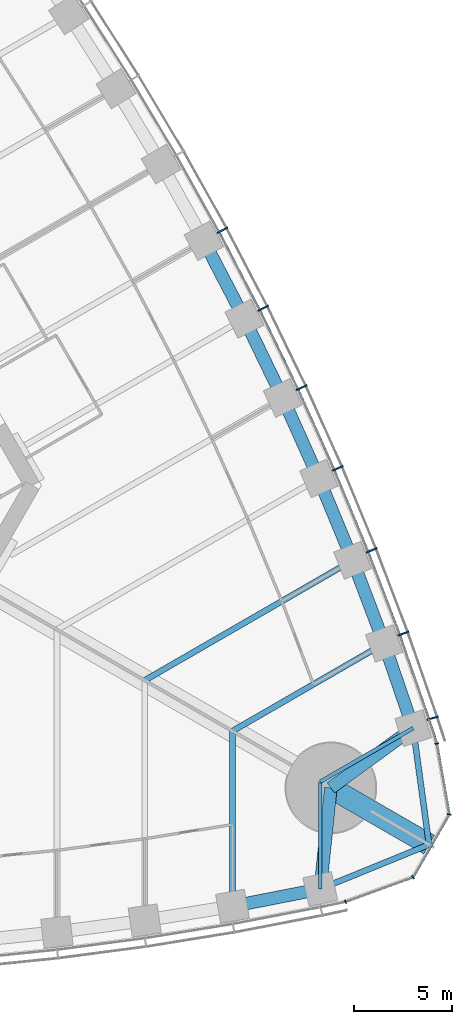
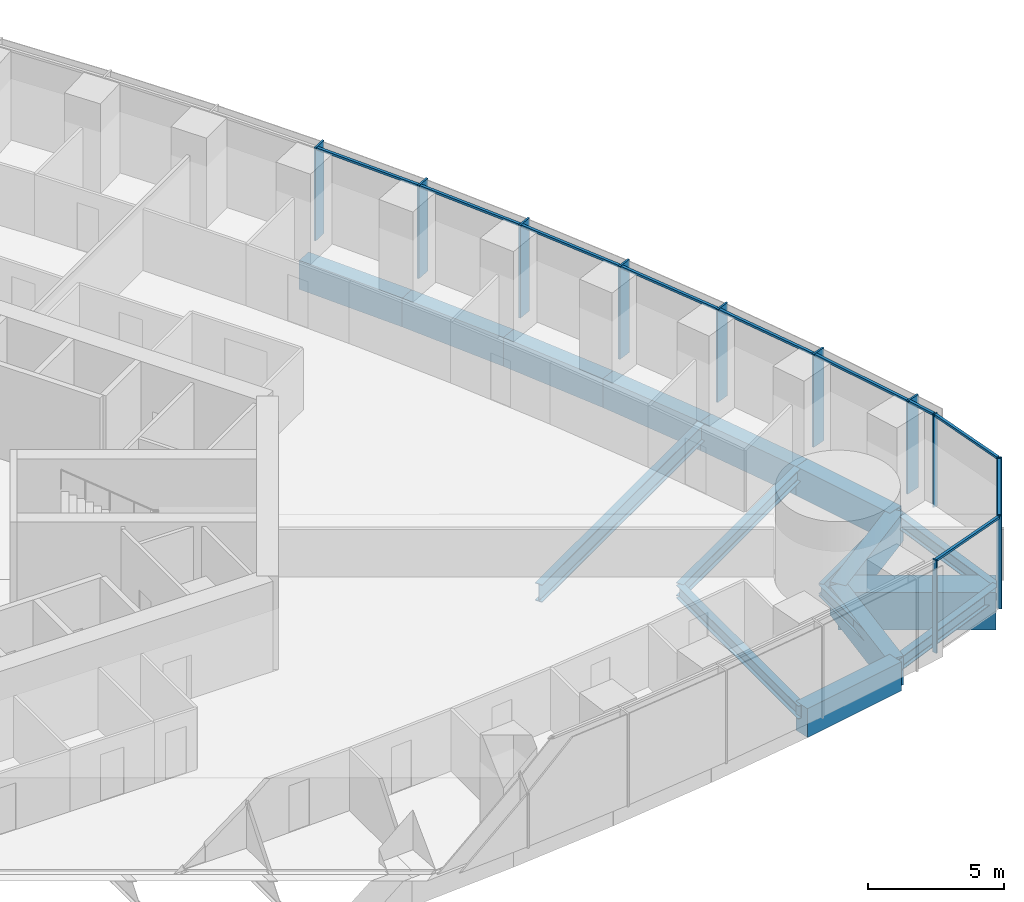
# One storey, part 6 of 19: 21 members, 17 beams, 2 elements without a shape of their own.
"""IFC4 building model written with IfcOpenShell, lengths in metres."""

from ifc_helpers import new_model, si_unit, direction, frame, origin, origin_2d, place, context, subcontext, project, spatial, rectangle, i_section, extrude, material, material_profile, profile_set, type_object, element, aggregate, save


model = new_model("IFC4")

# Units and contexts
model_context = context("Model", 3, precision=1e-05, world=origin(), true_north=direction((0.0, 1.0)))
body_context = subcontext(model_context, "Body", "Model", "MODEL_VIEW")
ifc_project = project(units=[si_unit("LENGTHUNIT", "METRE"), si_unit("AREAUNIT", "SQUARE_METRE"), si_unit("VOLUMEUNIT", "CUBIC_METRE"), si_unit("PLANEANGLEUNIT", "RADIAN"), si_unit("MASSUNIT", "GRAM", prefix="KILO")], contexts=[model_context])

# Site, building, storey
site_placement = place(None, origin())
site = spatial("IfcSite", under=ifc_project, at=site_placement, CompositionType="ELEMENT")
building_placement = place(site_placement, origin())
building = spatial("IfcBuilding", under=site, at=building_placement, Name="Trefoil Bronze Tower", CompositionType="ELEMENT")
storey_placement = place(building_placement, frame((0.0, 0.0, 20.699951171875)))
storey = spatial("IfcBuildingStorey", under=building, at=storey_placement, Name="L04", CompositionType="ELEMENT", Elevation=20.699951171875)

# Curtain wall, members
ifc_material_1 = material(Name="Tinted solar-control glass", Category="glass")
curtain_wall_type_1 = type_object("IfcCurtainWallType", Name="Bronze office curtain wall", PredefinedType="USERDEFINED", material=ifc_material_1)
curtain_wall_1_placement = place(storey_placement, origin())
curtain_wall_1 = element("IfcCurtainWall", 1, at=curtain_wall_1_placement, inside=storey, type_object=curtain_wall_type_1, Name="CW-A L04 F2", ObjectType="CURTAIN WALL", PredefinedType="USERDEFINED")
ifc_material_2 = material(Name="Bronze-finish aluminium", Category="aluminium")
ifc_material_profile_1 = material_profile(ifc_material_2, rectangle(XDim=0.60009765625, YDim=0.080078125, at=origin_2d()), Name="CW-A mullion")
ifc_profile_set_1 = profile_set([ifc_material_profile_1], Name="Bronze-finish aluminium")
member_type_1 = type_object("IfcMemberType", Name="Bronze office curtain wall mullion", PredefinedType="MULLION", material=ifc_profile_set_1)
member_1_placement = place(storey_placement, frame((37.265869140625, -14.92626953125, 0.0), z_axis=(0.0, 0.0, 1.0), x_axis=(-0.947850592929, -0.318715003543, 0.0)))
member_1 = element("IfcMember", 2, at=member_1_placement, type_object=member_type_1, Name="CW-A L04 F2 mullion 2", PredefinedType="MULLION", context=body_context, shape_type="SweptSolid", body=[
    extrude(rectangle(XDim=0.60009765625, YDim=0.080078125, at=origin_2d()), origin(), (0.0, 0.0, 1.0), 4.179931640625),
])
member_2_placement = place(storey_placement, frame((35.761962890625, -10.590087890625, 0.0), z_axis=(0.0, 0.0, 1.0), x_axis=(-0.939860248316, -0.341559238839, 0.0)))
member_2 = element("IfcMember", 3, at=member_2_placement, type_object=member_type_1, Name="CW-A L04 F2 mullion 3", PredefinedType="MULLION", context=body_context, shape_type="SweptSolid", body=[
    extrude(rectangle(XDim=0.60009765625, YDim=0.080078125, at=origin_2d()), origin(), (0.0, 0.0, 1.0), 4.179931640625),
])
member_3_placement = place(storey_placement, frame((34.138916015625, -6.32080078125, 0.0), z_axis=(0.0, 0.0, 1.0), x_axis=(-0.929413605838, -0.369039766534, 0.0)))
member_3 = element("IfcMember", 4, at=member_3_placement, type_object=member_type_1, Name="CW-A L04 F2 mullion 4", PredefinedType="MULLION", context=body_context, shape_type="SweptSolid", body=[
    extrude(rectangle(XDim=0.60009765625, YDim=0.080078125, at=origin_2d()), origin(), (0.0, 0.0, 1.0), 4.179931640625),
])
member_4_placement = place(storey_placement, frame((32.39892578125, -2.119384765625, 0.0), z_axis=(0.0, 0.0, 1.0), x_axis=(-0.918213748442, -0.396085233469, 0.0)))
member_4 = element("IfcMember", 5, at=member_4_placement, type_object=member_type_1, Name="CW-A L04 F2 mullion 5", PredefinedType="MULLION", context=body_context, shape_type="SweptSolid", body=[
    extrude(rectangle(XDim=0.60009765625, YDim=0.080078125, at=origin_2d()), origin(), (0.0, 0.0, 1.0), 4.179931640625),
])
member_5_placement = place(storey_placement, frame((30.543212890625, 2.015380859375, 0.0), z_axis=(0.0, 0.0, 1.0), x_axis=(-0.906269346572, -0.422700687798, 0.0)))
member_5 = element("IfcMember", 6, at=member_5_placement, type_object=member_type_1, Name="CW-A L04 F2 mullion 6", PredefinedType="MULLION", context=body_context, shape_type="SweptSolid", body=[
    extrude(rectangle(XDim=0.60009765625, YDim=0.080078125, at=origin_2d()), origin(), (0.0, 0.0, 1.0), 4.179931640625),
])
member_6_placement = place(storey_placement, frame((28.57275390625, 6.084228515625, 0.0), z_axis=(0.0, 0.0, 1.0), x_axis=(-0.893587025891, -0.448889994497, 0.0)))
member_6 = element("IfcMember", 7, at=member_6_placement, type_object=member_type_1, Name="CW-A L04 F2 mullion 7", PredefinedType="MULLION", context=body_context, shape_type="SweptSolid", body=[
    extrude(rectangle(XDim=0.60009765625, YDim=0.080078125, at=origin_2d()), origin(), (0.0, 0.0, 1.0), 4.179931640625),
])
member_7_placement = place(storey_placement, frame((26.488525390625, 10.0869140625, 0.0), z_axis=(0.0, 0.0, 1.0), x_axis=(-0.880171454588, -0.474655886437, 0.0)))
member_7 = element("IfcMember", 8, at=member_7_placement, type_object=member_type_1, Name="CW-A L04 F2 mullion 8", PredefinedType="MULLION", context=body_context, shape_type="SweptSolid", body=[
    extrude(rectangle(XDim=0.60009765625, YDim=0.080078125, at=origin_2d()), origin(), (0.0, 0.0, 1.0), 4.179931640625),
])
ifc_material_3 = material(Name="Bronze-finish aluminium", Category="aluminium")
ifc_material_profile_2 = material_profile(ifc_material_3, rectangle(XDim=0.1201171875, YDim=0.10009765625, at=origin_2d()), Name="CW-A transom")
ifc_profile_set_2 = profile_set([ifc_material_profile_2], Name="Bronze-finish aluminium")
member_type_2 = type_object("IfcMemberType", Name="Bronze office curtain wall transom", PredefinedType="USERDEFINED", material=ifc_profile_set_2)
member_8_placement = place(storey_placement, frame((37.4638671875, -16.1796875, 4.130126953125), z_axis=(-0.309624219148, 0.950859002648, 0.0), x_axis=(-0.950859002648, -0.309624219148, 0.0)))
member_8 = element("IfcMember", 9, at=member_8_placement, type_object=member_type_2, Name="CW-A L04 F2 transom 1", ObjectType="TRANSOM", PredefinedType="USERDEFINED", context=body_context, shape_type="SweptSolid", body=[
    extrude(rectangle(XDim=0.1201171875, YDim=0.10009765625, at=origin_2d()), origin(), (0.0, 0.0, 1.0), 1.21044921875),
])
member_9_placement = place(storey_placement, frame((37.06298828125, -14.951171875, 4.130126953125), z_axis=(-0.327689728493, 0.944785394595, 0.0), x_axis=(-0.944785394595, -0.327689728493, 0.0)))
member_9 = element("IfcMember", 10, at=member_9_placement, type_object=member_type_2, Name="CW-A L04 F2 transom 2", ObjectType="TRANSOM", PredefinedType="USERDEFINED", context=body_context, shape_type="SweptSolid", body=[
    extrude(rectangle(XDim=0.1201171875, YDim=0.10009765625, at=origin_2d()), origin(), (0.0, 0.0, 1.0), 4.502197265625),
])
member_10_placement = place(storey_placement, frame((35.559326171875, -10.61962890625, 4.130126953125), z_axis=(-0.355367327392, 0.934726731522, 0.0), x_axis=(-0.934726731522, -0.355367327392, 0.0)))
member_10 = element("IfcMember", 11, at=member_10_placement, type_object=member_type_2, Name="CW-A L04 F2 transom 3", ObjectType="TRANSOM", PredefinedType="USERDEFINED", context=body_context, shape_type="SweptSolid", body=[
    extrude(rectangle(XDim=0.1201171875, YDim=0.10009765625, at=origin_2d()), origin(), (0.0, 0.0, 1.0), 4.478515625),
])
member_11_placement = place(storey_placement, frame((33.937255859375, -6.3564453125, 4.130126953125), z_axis=(-0.382616149417, 0.923907399151, 0.0), x_axis=(-0.923907399151, -0.382616149417, 0.0)))
member_11 = element("IfcMember", 12, at=member_11_placement, type_object=member_type_2, Name="CW-A L04 F2 transom 4", ObjectType="TRANSOM", PredefinedType="USERDEFINED", context=body_context, shape_type="SweptSolid", body=[
    extrude(rectangle(XDim=0.1201171875, YDim=0.10009765625, at=origin_2d()), origin(), (0.0, 0.0, 1.0), 4.458984375),
])
member_12_placement = place(storey_placement, frame((32.1982421875, -2.16064453125, 4.130126953125), z_axis=(-0.409459746452, 0.912328184392, 0.0), x_axis=(-0.912328184392, -0.409459746452, 0.0)))
member_12 = element("IfcMember", 13, at=member_12_placement, type_object=member_type_2, Name="CW-A L04 F2 transom 5", ObjectType="TRANSOM", PredefinedType="USERDEFINED", context=body_context, shape_type="SweptSolid", body=[
    extrude(rectangle(XDim=0.1201171875, YDim=0.10009765625, at=origin_2d()), origin(), (0.0, 0.0, 1.0), 4.443359375),
])
member_13_placement = place(storey_placement, frame((30.34375, 1.96826171875, 4.130126953125), z_axis=(-0.435851763293, 0.900018466719, 0.0), x_axis=(-0.900018466719, -0.435851763293, 0.0)))
member_13 = element("IfcMember", 14, at=member_13_placement, type_object=member_type_2, Name="CW-A L04 F2 transom 6", ObjectType="TRANSOM", PredefinedType="USERDEFINED", context=body_context, shape_type="SweptSolid", body=[
    extrude(rectangle(XDim=0.1201171875, YDim=0.10009765625, at=origin_2d()), origin(), (0.0, 0.0, 1.0), 4.431884765625),
])
member_14_placement = place(storey_placement, frame((28.375, 6.031005859375, 4.130126953125), z_axis=(-0.461809621225, 0.886979071762, 0.0), x_axis=(-0.886979071762, -0.461809621225, 0.0)))
member_14 = element("IfcMember", 15, at=member_14_placement, type_object=member_type_2, Name="CW-A L04 F2 transom 7", ObjectType="TRANSOM", PredefinedType="USERDEFINED", context=body_context, shape_type="SweptSolid", body=[
    extrude(rectangle(XDim=0.1201171875, YDim=0.10009765625, at=origin_2d()), origin(), (0.0, 0.0, 1.0), 4.42431640625),
])
aggregate(curtain_wall_1, [member_1, member_2, member_3, member_4, member_5, member_6, member_7, member_8, member_9, member_10, member_11, member_12, member_13, member_14])

ifc_material_4 = material(Name="Tinted solar-control glass", Category="glass")
curtain_wall_type_2 = type_object("IfcCurtainWallType", Name="Bronze rounded corner curtain wall", PredefinedType="USERDEFINED", material=ifc_material_4)
curtain_wall_2_placement = place(storey_placement, origin())
curtain_wall_2 = element("IfcCurtainWall", 16, at=curtain_wall_2_placement, inside=storey, type_object=curtain_wall_type_2, Name="CW-B L04 K1", ObjectType="CURTAIN WALL", PredefinedType="USERDEFINED")
ifc_material_5 = material(Name="Bronze-finish aluminium", Category="aluminium")
ifc_material_profile_3 = material_profile(ifc_material_5, rectangle(XDim=0.199951171875, YDim=0.06005859375, at=origin_2d()), Name="CW-B mullion")
ifc_profile_set_3 = profile_set([ifc_material_profile_3], Name="Bronze-finish aluminium")
member_type_3 = type_object("IfcMemberType", Name="Bronze rounded corner curtain wall mullion", PredefinedType="MULLION", material=ifc_profile_set_3)
member_15_placement = place(storey_placement, frame((32.796630859375, -24.3427734375, 0.0), z_axis=(0.0, 0.0, 1.0), x_axis=(-0.342020143326, 0.939692620786, 0.0)))
member_15 = element("IfcMember", 17, at=member_15_placement, type_object=member_type_3, Name="CW-B L04 K1 mullion 1", PredefinedType="MULLION", context=body_context, shape_type="SweptSolid", body=[
    extrude(rectangle(XDim=0.199951171875, YDim=0.06005859375, at=origin_2d()), origin(), (0.0, 0.0, 1.0), 4.179931640625),
])
member_16_placement = place(storey_placement, frame((36.2548828125, -23.07763671875, 0.0), z_axis=(0.0, 0.0, 1.0), x_axis=(-0.642787609687, 0.766044443119, 0.0)))
member_16 = element("IfcMember", 18, at=member_16_placement, type_object=member_type_3, Name="CW-B L04 K1 mullion 2", PredefinedType="MULLION", context=body_context, shape_type="SweptSolid", body=[
    extrude(rectangle(XDim=0.199951171875, YDim=0.06005859375, at=origin_2d()), origin(), (0.0, 0.0, 1.0), 4.179931640625),
])
member_17_placement = place(storey_placement, frame((38.11328125, -19.85888671875, 0.0), z_axis=(0.0, 0.0, 1.0), x_axis=(-0.984807753012, 0.173648177667, 0.0)))
member_17 = element("IfcMember", 19, at=member_17_placement, type_object=member_type_3, Name="CW-B L04 K1 mullion 3", PredefinedType="MULLION", context=body_context, shape_type="SweptSolid", body=[
    extrude(rectangle(XDim=0.199951171875, YDim=0.06005859375, at=origin_2d()), origin(), (0.0, 0.0, 1.0), 4.179931640625),
])
member_18_placement = place(storey_placement, frame((37.479736328125, -16.2314453125, 0.0), z_axis=(0.0, 0.0, 1.0), x_axis=(-0.984807753012, -0.173648177667, 0.0)))
member_18 = element("IfcMember", 20, at=member_18_placement, type_object=member_type_3, Name="CW-B L04 K1 mullion 4", PredefinedType="MULLION", context=body_context, shape_type="SweptSolid", body=[
    extrude(rectangle(XDim=0.199951171875, YDim=0.06005859375, at=origin_2d()), origin(), (0.0, 0.0, 1.0), 4.179931640625),
])
ifc_material_6 = material(Name="Bronze-finish aluminium", Category="aluminium")
ifc_material_profile_4 = material_profile(ifc_material_6, rectangle(XDim=0.1201171875, YDim=0.10009765625, at=origin_2d()), Name="CW-B transom")
ifc_profile_set_4 = profile_set([ifc_material_profile_4], Name="Bronze-finish aluminium")
member_type_4 = type_object("IfcMemberType", Name="Bronze rounded corner curtain wall transom", PredefinedType="USERDEFINED", material=ifc_profile_set_4)
member_19_placement = place(storey_placement, frame((32.82470703125, -24.33251953125, 4.130126953125), z_axis=(0.939688092095, 0.342032585545, 0.0), x_axis=(-0.342032585545, 0.939688092095, 0.0)))
member_19 = element("IfcMember", 21, at=member_19_placement, type_object=member_type_4, Name="CW-B L04 K1 transom 1", ObjectType="TRANSOM", PredefinedType="USERDEFINED", context=body_context, shape_type="SweptSolid", body=[
    extrude(rectangle(XDim=0.1201171875, YDim=0.10009765625, at=origin_2d()), origin(), (0.0, 0.0, 1.0), 3.588134765625),
])
member_20_placement = place(storey_placement, frame((36.292236328125, -23.02490234375, 4.130126953125), z_axis=(0.500024788772, 0.866011091507, 0.0), x_axis=(-0.866011091507, 0.500024788772, 0.0)))
member_20 = element("IfcMember", 22, at=member_20_placement, type_object=member_type_4, Name="CW-B L04 K1 transom 2", ObjectType="TRANSOM", PredefinedType="USERDEFINED", context=body_context, shape_type="SweptSolid", body=[
    extrude(rectangle(XDim=0.1201171875, YDim=0.10009765625, at=origin_2d()), origin(), (0.0, 0.0, 1.0), 3.588134765625),
])
member_21_placement = place(storey_placement, frame((38.10791015625, -19.794677734375, 4.130126953125), z_axis=(-0.17363783606, 0.984809576461, 0.0), x_axis=(-0.984809576461, -0.17363783606, 0.0)))
member_21 = element("IfcMember", 23, at=member_21_placement, type_object=member_type_4, Name="CW-B L04 K1 transom 3", ObjectType="TRANSOM", PredefinedType="USERDEFINED", context=body_context, shape_type="SweptSolid", body=[
    extrude(rectangle(XDim=0.1201171875, YDim=0.10009765625, at=origin_2d()), origin(), (0.0, 0.0, 1.0), 3.588134765625),
])
aggregate(curtain_wall_2, [member_15, member_16, member_17, member_18, member_19, member_20, member_21])

# Beams
ifc_material_7 = material(Name="Concrete B80", Category="concrete")
ifc_material_profile_5 = material_profile(ifc_material_7, rectangle(XDim=1.10009765625, YDim=1.699951171875, at=origin_2d()), Name="RC 1100x1700")
ifc_profile_set_5 = profile_set([ifc_material_profile_5], Name="Concrete B80")
beam_type_1 = type_object("IfcBeamType", Name="Corner cantilever RC 1100x1700", PredefinedType="BEAM", material=ifc_profile_set_5)
beam_1_placement = place(storey_placement, frame((32.04296875, -18.5, -1.050048828125), z_axis=(0.866030348588, -0.499991435252, 0.0), x_axis=(0.499991435252, 0.866030348588, 0.0)))
element("IfcBeam", 24, at=beam_1_placement, inside=storey, type_object=beam_type_1, Name="Corner cantilever K1 L04", PredefinedType="BEAM", context=body_context, shape_type="SweptSolid", body=[
    extrude(rectangle(XDim=1.10009765625, YDim=1.699951171875, at=origin_2d()), origin(), (0.0, 0.0, 1.0), 5.81396484375),
])
ifc_material_8 = material(Name="Steel C355", Category="steel")
ifc_material_profile_6 = material_profile(ifc_material_8, i_section(OverallWidth=0.300048828125, OverallDepth=0.60009765625, WebThickness=0.015380859375, FlangeThickness=0.030029296875, FilletRadius=0.027099609375, at=origin_2d()), Name="HEB 600")
ifc_profile_set_6 = profile_set([ifc_material_profile_6], Name="Steel C355")
beam_type_2 = type_object("IfcBeamType", Name="Corner edge beam HEB 600", PredefinedType="BEAM", material=ifc_profile_set_6)
beam_2_placement = place(storey_placement, frame((31.5, -23.684814453125, -0.5), z_axis=(0.925786874353, 0.378045848114, 0.0), x_axis=(-0.378045848114, 0.925786874353, 0.0)))
element("IfcBeam", 25, at=beam_2_placement, inside=storey, type_object=beam_type_2, Name="Corner edge beam F1A L04", PredefinedType="BEAM", context=body_context, shape_type="SweptSolid", body=[
    extrude(i_section(OverallWidth=0.300048828125, OverallDepth=0.60009765625, WebThickness=0.015380859375, FlangeThickness=0.030029296875, FilletRadius=0.027099609375, at=origin_2d()), origin(), (0.0, 0.0, 1.0), 6.025390625),
])
beam_3_placement = place(storey_placement, frame((36.26171875, -15.4375, -0.5), z_axis=(0.13550196505, -0.990777077585, 0.0), x_axis=(0.990777077585, 0.13550196505, 0.0)))
element("IfcBeam", 26, at=beam_3_placement, inside=storey, type_object=beam_type_2, Name="Corner edge beam F2B L04", PredefinedType="BEAM", context=body_context, shape_type="SweptSolid", body=[
    extrude(i_section(OverallWidth=0.300048828125, OverallDepth=0.60009765625, WebThickness=0.015380859375, FlangeThickness=0.030029296875, FilletRadius=0.027099609375, at=origin_2d()), origin(), (0.0, 0.0, 1.0), 6.025146484375),
])
ifc_material_9 = material(Name="Concrete B80", Category="concrete")
ifc_material_profile_7 = material_profile(ifc_material_9, rectangle(XDim=0.64990234375, YDim=1.300048828125, at=origin_2d()), Name="RC 650x1300")
ifc_profile_set_7 = profile_set([ifc_material_profile_7], Name="Concrete B80")
beam_type_3 = type_object("IfcBeamType", Name="End spandrel beam RC 650x1300", PredefinedType="SPANDREL", material=ifc_profile_set_7)
for number, where, z_axis, x_axis, name in (
    (27, (31.5, -23.684814453125, -0.849853515625), (0.104153327908, 0.994561252154, 0.0), (-0.994561252154, 0.104153327908, 0.0), "Spandrel F1.16 L04"),
    (28, (32.04296875, -18.5, -0.849853515625), (0.809254211267, 0.587458612624, 0.0), (-0.587458612624, 0.809254211267, 0.0), "Spandrel F2.1 L04"),
):
    element("IfcBeam", number, at=place(storey_placement, frame(where, z_axis=z_axis, x_axis=x_axis)), inside=storey, type_object=beam_type_3, Name=name, PredefinedType="SPANDREL", context=body_context, shape_type="SweptSolid", body=[
        extrude(rectangle(XDim=0.64990234375, YDim=1.300048828125, at=origin_2d()), origin(), (0.0, 0.0, 1.0), 5.213134765625),
    ])
ifc_material_10 = material(Name="Steel C355", Category="steel")
ifc_material_profile_8 = material_profile(ifc_material_10, i_section(OverallWidth=0.300048828125, OverallDepth=0.590087890625, WebThickness=0.012939453125, FlangeThickness=0.02490234375, FilletRadius=0.027099609375, at=origin_2d()), Name="HEA 600")
ifc_profile_set_8 = profile_set([ifc_material_profile_8], Name="Steel C355")
beam_type_4 = type_object("IfcBeamType", Name="Floor beam HEA 600", PredefinedType="BEAM", material=ifc_profile_set_8)
for number, where, z_axis, x_axis, name in (
    (29, (27.0, -24.56787109375, -0.494873046875), (0.0, 1.0, 0.0), (-1.0, 0.0, 0.0), "Floor beam F1/+6 L04"),
    (30, (34.7763671875, -11.0986328125, -0.494873046875), (-0.866022587327, -0.500004878216, 0.0), (0.500004878216, -0.866022587327, 0.0), "Floor beam F2/-6 L04"),
):
    element("IfcBeam", number, at=place(storey_placement, frame(where, z_axis=z_axis, x_axis=x_axis)), inside=storey, type_object=beam_type_4, Name=name, PredefinedType="BEAM", context=body_context, shape_type="SweptSolid", body=[
        extrude(i_section(OverallWidth=0.300048828125, OverallDepth=0.590087890625, WebThickness=0.012939453125, FlangeThickness=0.02490234375, FilletRadius=0.027099609375, at=origin_2d()), origin(), (0.0, 0.0, 1.0), 8.9794921875),
    ])
ifc_material_11 = material(Name="Steel C355", Category="steel")
ifc_material_profile_9 = material_profile(ifc_material_11, i_section(OverallWidth=0.300048828125, OverallDepth=0.800048828125, WebThickness=0.017578125, FlangeThickness=0.032958984375, FilletRadius=0.030029296875, at=origin_2d()), Name="HEB 800")
ifc_profile_set_9 = profile_set([ifc_material_profile_9], Name="Steel C355")
beam_type_5 = type_object("IfcBeamType", Name="Floor beam HEB 800", PredefinedType="BEAM", material=ifc_profile_set_9)
beam_4_placement = place(storey_placement, frame((33.159912109375, -6.8359375, -0.599853515625), z_axis=(-0.866024070878, -0.500002308654, 0.0), x_axis=(0.500002308654, -0.866024070878, 0.0)))
element("IfcBeam", 31, at=beam_4_placement, inside=storey, type_object=beam_type_5, Name="Floor beam F2/-5 L04", PredefinedType="BEAM", context=body_context, shape_type="SweptSolid", body=[
    extrude(i_section(OverallWidth=0.300048828125, OverallDepth=0.800048828125, WebThickness=0.017578125, FlangeThickness=0.032958984375, FilletRadius=0.030029296875, at=origin_2d()), origin(), (0.0, 0.0, 1.0), 12.30908203125),
])
ifc_material_12 = material(Name="Steel C355", Category="steel")
ifc_material_profile_10 = material_profile(ifc_material_12, i_section(OverallWidth=0.199951171875, OverallDepth=0.5, WebThickness=0.01025390625, FlangeThickness=0.01611328125, FilletRadius=0.02099609375, at=origin_2d()), Name="IPE 500")
ifc_profile_set_10 = profile_set([ifc_material_profile_10], Name="Steel C355")
beam_type_6 = type_object("IfcBeamType", Name="Floor beam IPE 500", PredefinedType="BEAM", material=ifc_profile_set_10)
for number, where, z_axis, x_axis, name in (
    (32, (31.5, -23.684814453125, -0.449951171875), (0.0, 1.0, 0.0), (-1.0, 0.0, 0.0), "Floor beam F1/+7 L04"),
    (33, (36.26171875, -15.4375, -0.449951171875), (-0.866037702141, -0.499978698016, 0.0), (0.499978698016, -0.866037702141, 0.0), "Floor beam F2/-7 L04"),
):
    element("IfcBeam", number, at=place(storey_placement, frame(where, z_axis=z_axis, x_axis=x_axis)), inside=storey, type_object=beam_type_6, Name=name, PredefinedType="BEAM", context=body_context, shape_type="SweptSolid", body=[
        extrude(i_section(OverallWidth=0.199951171875, OverallDepth=0.5, WebThickness=0.01025390625, FlangeThickness=0.01611328125, FilletRadius=0.02099609375, at=origin_2d()), origin(), (0.0, 0.0, 1.0), 5.498291015625),
    ])
ifc_material_13 = material(Name="Concrete B80", Category="concrete")
ifc_material_profile_11 = material_profile(ifc_material_13, rectangle(XDim=0.64990234375, YDim=1.300048828125, at=origin_2d()), Name="RC 650x1300")
ifc_profile_set_11 = profile_set([ifc_material_profile_11], Name="Concrete B80")
beam_type_7 = type_object("IfcBeamType", Name="Spandrel beam RC 650x1300", PredefinedType="SPANDREL", material=ifc_profile_set_11)
beam_5_placement = place(storey_placement, frame((27.0, -24.56787109375, -0.849853515625), z_axis=(0.981284764092, 0.192562228283, 0.0), x_axis=(-0.192562228283, 0.981284764092, 0.0)))
element("IfcBeam", 34, at=beam_5_placement, inside=storey, type_object=beam_type_7, Name="Spandrel F1.15 L04", PredefinedType="SPANDREL", context=body_context, shape_type="SweptSolid", body=[
    extrude(rectangle(XDim=0.64990234375, YDim=1.300048828125, at=origin_2d()), origin(), (0.0, 0.0, 1.0), 4.5859375),
])
beam_6_placement = place(storey_placement, frame((36.26171875, -15.4375, -0.849853515625), z_axis=(-0.323883319148, 0.946097032855, 0.0), x_axis=(-0.946097032855, -0.323883319148, 0.0)))
element("IfcBeam", 35, at=beam_6_placement, inside=storey, type_object=beam_type_7, Name="Spandrel F2.2 L04", PredefinedType="SPANDREL", context=body_context, shape_type="SweptSolid", body=[
    extrude(rectangle(XDim=0.64990234375, YDim=1.300048828125, at=origin_2d()), origin(), (0.0, 0.0, 1.0), 4.586181640625),
])
beam_7_placement = place(storey_placement, frame((34.7763671875, -11.0986328125, -0.849853515625), z_axis=(-0.354571899767, 0.935028752443, 0.0), x_axis=(-0.935028752443, -0.354571899767, 0.0)))
element("IfcBeam", 36, at=beam_7_placement, inside=storey, type_object=beam_type_7, Name="Spandrel F2.3 L04", PredefinedType="SPANDREL", context=body_context, shape_type="SweptSolid", body=[
    extrude(rectangle(XDim=0.64990234375, YDim=1.300048828125, at=origin_2d()), origin(), (0.0, 0.0, 1.0), 4.558837890625),
])
beam_8_placement = place(storey_placement, frame((33.159912109375, -6.8359375, -0.849853515625), z_axis=(-0.382020825144, 0.924153715113, 0.0), x_axis=(-0.924153715113, -0.382020825144, 0.0)))
element("IfcBeam", 37, at=beam_8_placement, inside=storey, type_object=beam_type_7, Name="Spandrel F2.4 L04", PredefinedType="SPANDREL", context=body_context, shape_type="SweptSolid", body=[
    extrude(rectangle(XDim=0.64990234375, YDim=1.300048828125, at=origin_2d()), origin(), (0.0, 0.0, 1.0), 4.539306640625),
])
beam_9_placement = place(storey_placement, frame((31.42578125, -2.640869140625, -0.849853515625), z_axis=(-0.408945873044, 0.912558640812, 0.0), x_axis=(-0.912558640812, -0.408945873044, 0.0)))
element("IfcBeam", 38, at=beam_9_placement, inside=storey, type_object=beam_type_7, Name="Spandrel F2.5 L04", PredefinedType="SPANDREL", context=body_context, shape_type="SweptSolid", body=[
    extrude(rectangle(XDim=0.64990234375, YDim=1.300048828125, at=origin_2d()), origin(), (0.0, 0.0, 1.0), 4.5234375),
])
beam_10_placement = place(storey_placement, frame((29.575927734375, 1.487060546875, -0.849853515625), z_axis=(-0.435510013583, 0.900183885697, 0.0), x_axis=(-0.900183885697, -0.435510013583, 0.0)))
element("IfcBeam", 39, at=beam_10_placement, inside=storey, type_object=beam_type_7, Name="Spandrel F2.6 L04", PredefinedType="SPANDREL", context=body_context, shape_type="SweptSolid", body=[
    extrude(rectangle(XDim=0.64990234375, YDim=1.300048828125, at=origin_2d()), origin(), (0.0, 0.0, 1.0), 4.51220703125),
])
beam_11_placement = place(storey_placement, frame((27.61083984375, 5.548828125, -0.849853515625), z_axis=(-0.461637716615, 0.887068553495, 0.0), x_axis=(-0.887068553495, -0.461637716615, 0.0)))
element("IfcBeam", 40, at=beam_11_placement, inside=storey, type_object=beam_type_7, Name="Spandrel F2.7 L04", PredefinedType="SPANDREL", context=body_context, shape_type="SweptSolid", body=[
    extrude(rectangle(XDim=0.64990234375, YDim=1.300048828125, at=origin_2d()), origin(), (0.0, 0.0, 1.0), 4.50439453125),
])

save(model, "model.ifc")
